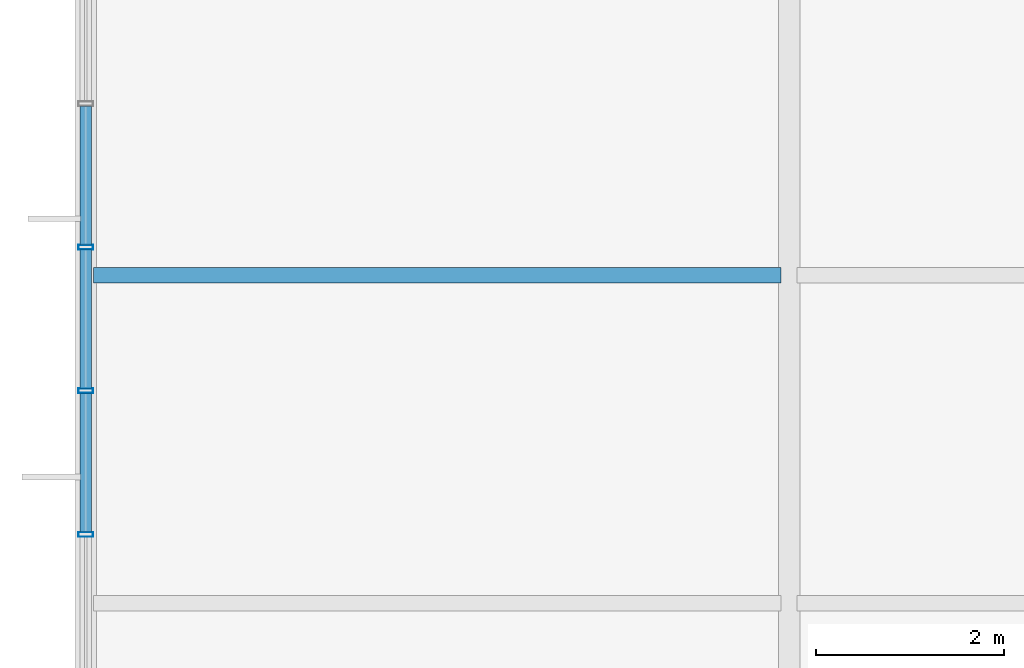
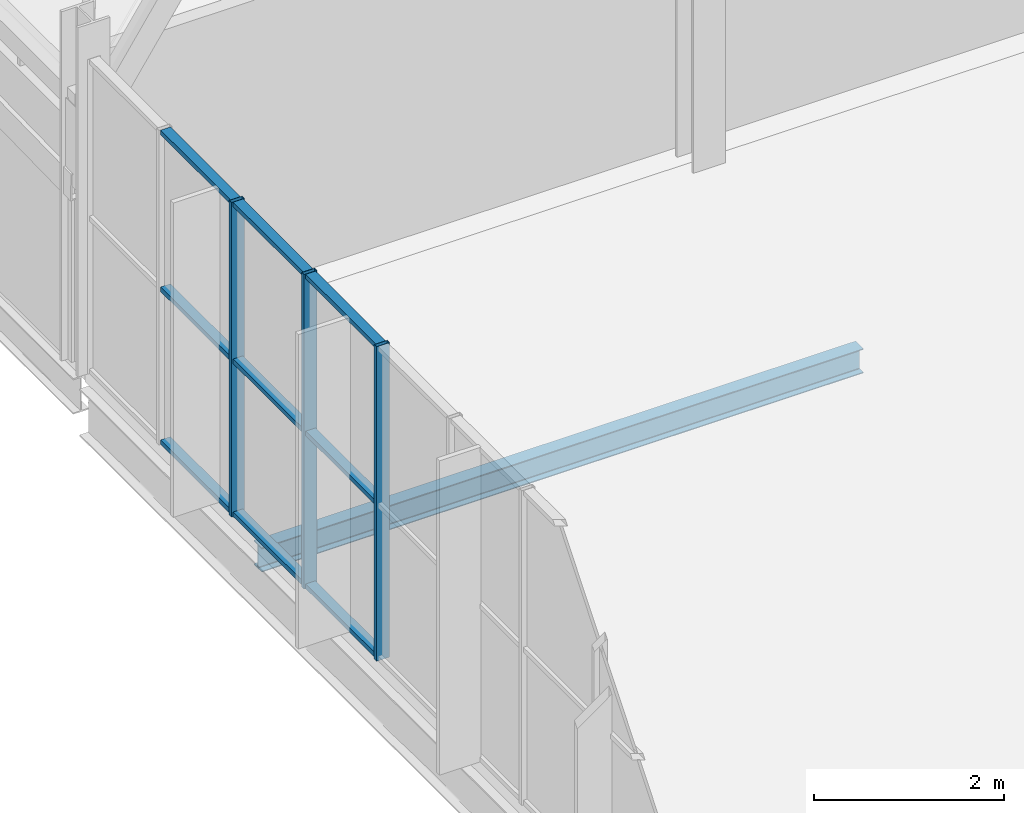
# One storey, part 44 of 324: 12 members, 1 beam, 1 element without a shape of its own.
"""IFC4 building model written with IfcOpenShell, lengths in metres."""

from ifc_helpers import new_model, si_unit, direction, frame, origin, origin_2d, place, context, subcontext, project, spatial, hollow_rectangle, i_section, extrude, material, layer, layer_set, material_profile, profile_set, type_object, element, aggregate, save


model = new_model("IFC4")

# Units and contexts
model_context = context("Model", 3, precision=1e-05, world=origin(), true_north=direction((0.0, 1.0)))
body_context = subcontext(model_context, "Body", "Model", "MODEL_VIEW")
ifc_project = project(units=[si_unit("LENGTHUNIT", "METRE"), si_unit("AREAUNIT", "SQUARE_METRE"), si_unit("VOLUMEUNIT", "CUBIC_METRE"), si_unit("PLANEANGLEUNIT", "RADIAN"), si_unit("MASSUNIT", "GRAM", prefix="KILO")], contexts=[model_context])

# Site, building, storey
site_placement = place(None, origin())
site = spatial("IfcSite", under=ifc_project, at=site_placement, CompositionType="ELEMENT")
building_placement = place(site_placement, origin())
building = spatial("IfcBuilding", under=site, at=building_placement, Name="Solvenia Promenade Tram Depot", CompositionType="ELEMENT")
storey_placement = place(building_placement, frame((0.0, 0.0, 4.5)))
storey = spatial("IfcBuildingStorey", under=building, at=storey_placement, Name="L01", CompositionType="ELEMENT", Elevation=4.5)

# Curtain wall, members
ifc_material_1 = material(Name="Anodized aluminium AW-6063 T6", Category="aluminium")
ifc_layer = layer(ifc_material_1, 0.1201171875, Name="Anodized aluminium AW-6063 T6", Category="aluminium")
ifc_layer_set = layer_set([ifc_layer], Name="Anodized aluminium AW-6063 T6")
curtain_wall_type = type_object("IfcCurtainWallType", Name="CW-Wash-1500", PredefinedType="NOTDEFINED", material=ifc_layer_set)
curtain_wall_placement = place(storey_placement, origin())
curtain_wall = element("IfcCurtainWall", 1, at=curtain_wall_placement, inside=storey, type_object=curtain_wall_type, Name="Curtain Wall CW-V3-W-L1-3", PredefinedType="NOTDEFINED")
ifc_material_profile_1 = material_profile(ifc_material_1, hollow_rectangle(XDim=0.159912109375, YDim=0.052001953125, WallThickness=0.00390625, at=origin_2d()), Name="ALU-M1", Category="aluminium")
ifc_profile_set_1 = profile_set([ifc_material_profile_1], Name="Anodized aluminium AW-6063 T6")
member_type_1 = type_object("IfcMemberType", Name="CWM-Mullion-1", PredefinedType="MULLION", material=ifc_profile_set_1)
member_1_placement = place(storey_placement, frame((0.0, 59.735595703125, 0.0), z_axis=(0.0, 0.0, 1.0), x_axis=(-1.0, 0.0, 0.0)))
member_1 = element("IfcMember", 2, at=member_1_placement, type_object=member_type_1, Name="CW-10 mullion 6", PredefinedType="MULLION", context=body_context, shape_type="SweptSolid", body=[
    extrude(hollow_rectangle(XDim=0.159912109375, YDim=0.052001953125, WallThickness=0.00390625, at=origin_2d()), origin(), (0.0, 0.0, 1.0), 4.050048828125),
])
member_2_placement = place(storey_placement, frame((0.0, 61.2666015625, 0.0), z_axis=(0.0, 0.0, 1.0), x_axis=(-1.0, 0.0, 0.0)))
member_2 = element("IfcMember", 3, at=member_2_placement, type_object=member_type_1, Name="CW-10 mullion 7", PredefinedType="MULLION", context=body_context, shape_type="SweptSolid", body=[
    extrude(hollow_rectangle(XDim=0.159912109375, YDim=0.052001953125, WallThickness=0.00390625, at=origin_2d()), origin(), (0.0, 0.0, 1.0), 4.050048828125),
])
member_3_placement = place(storey_placement, frame((0.0, 62.7978515625, 0.0), z_axis=(0.0, 0.0, 1.0), x_axis=(-1.0, 0.0, 0.0)))
member_3 = element("IfcMember", 4, at=member_3_placement, type_object=member_type_1, Name="CW-10 mullion 8", PredefinedType="MULLION", context=body_context, shape_type="SweptSolid", body=[
    extrude(hollow_rectangle(XDim=0.159912109375, YDim=0.052001953125, WallThickness=0.00390625, at=origin_2d()), origin(), (0.0, 0.0, 1.0), 4.050048828125),
])
ifc_material_profile_2 = material_profile(ifc_material_1, hollow_rectangle(XDim=0.1201171875, YDim=0.06005859375, WallThickness=0.00390625, at=origin_2d()), Name="ALU-T1", Category="aluminium")
ifc_profile_set_2 = profile_set([ifc_material_profile_2], Name="Anodized aluminium AW-6063 T6")
member_type_2 = type_object("IfcMemberType", Name="CWT-Transom-1", PredefinedType="USERDEFINED", material=ifc_profile_set_2)
member_4_placement = place(storey_placement, frame((0.0, 59.761474609375, 0.030029296875), z_axis=(0.0, 1.0, 0.0), x_axis=(-1.0, 0.0, 0.0)))
member_4 = element("IfcMember", 5, at=member_4_placement, type_object=member_type_2, Name="CW-10 transom 6.1", ObjectType="TRANSOM", PredefinedType="USERDEFINED", context=body_context, shape_type="SweptSolid", body=[
    extrude(hollow_rectangle(XDim=0.1201171875, YDim=0.06005859375, WallThickness=0.00390625, at=origin_2d()), origin(), (0.0, 0.0, 1.0), 1.479248046875),
])
member_5_placement = place(storey_placement, frame((0.0, 59.761474609375, 2.0), z_axis=(0.0, 1.0, 0.0), x_axis=(-1.0, 0.0, 0.0)))
member_5 = element("IfcMember", 6, at=member_5_placement, type_object=member_type_2, Name="CW-10 transom 6.2", ObjectType="TRANSOM", PredefinedType="USERDEFINED", context=body_context, shape_type="SweptSolid", body=[
    extrude(hollow_rectangle(XDim=0.1201171875, YDim=0.06005859375, WallThickness=0.00390625, at=origin_2d()), origin(), (0.0, 0.0, 1.0), 1.479248046875),
])
member_6_placement = place(storey_placement, frame((0.0, 59.761474609375, 4.02001953125), z_axis=(0.0, 1.0, 0.0), x_axis=(-1.0, 0.0, 0.0)))
member_6 = element("IfcMember", 7, at=member_6_placement, type_object=member_type_2, Name="CW-10 transom 6.3", ObjectType="TRANSOM", PredefinedType="USERDEFINED", context=body_context, shape_type="SweptSolid", body=[
    extrude(hollow_rectangle(XDim=0.1201171875, YDim=0.06005859375, WallThickness=0.00390625, at=origin_2d()), origin(), (0.0, 0.0, 1.0), 1.479248046875),
])
member_7_placement = place(storey_placement, frame((0.0, 61.292724609375, 0.030029296875), z_axis=(0.0, 1.0, 0.0), x_axis=(-1.0, 0.0, 0.0)))
member_7 = element("IfcMember", 8, at=member_7_placement, type_object=member_type_2, Name="CW-10 transom 7.1", ObjectType="TRANSOM", PredefinedType="USERDEFINED", context=body_context, shape_type="SweptSolid", body=[
    extrude(hollow_rectangle(XDim=0.1201171875, YDim=0.06005859375, WallThickness=0.00390625, at=origin_2d()), origin(), (0.0, 0.0, 1.0), 1.47900390625),
])
member_8_placement = place(storey_placement, frame((0.0, 61.292724609375, 2.0), z_axis=(0.0, 1.0, 0.0), x_axis=(-1.0, 0.0, 0.0)))
member_8 = element("IfcMember", 9, at=member_8_placement, type_object=member_type_2, Name="CW-10 transom 7.2", ObjectType="TRANSOM", PredefinedType="USERDEFINED", context=body_context, shape_type="SweptSolid", body=[
    extrude(hollow_rectangle(XDim=0.1201171875, YDim=0.06005859375, WallThickness=0.00390625, at=origin_2d()), origin(), (0.0, 0.0, 1.0), 1.47900390625),
])
member_9_placement = place(storey_placement, frame((0.0, 61.292724609375, 4.02001953125), z_axis=(0.0, 1.0, 0.0), x_axis=(-1.0, 0.0, 0.0)))
member_9 = element("IfcMember", 10, at=member_9_placement, type_object=member_type_2, Name="CW-10 transom 7.3", ObjectType="TRANSOM", PredefinedType="USERDEFINED", context=body_context, shape_type="SweptSolid", body=[
    extrude(hollow_rectangle(XDim=0.1201171875, YDim=0.06005859375, WallThickness=0.00390625, at=origin_2d()), origin(), (0.0, 0.0, 1.0), 1.47900390625),
])
member_10_placement = place(storey_placement, frame((0.0, 62.82373046875, 0.030029296875), z_axis=(0.0, 1.0, 0.0), x_axis=(-1.0, 0.0, 0.0)))
member_10 = element("IfcMember", 11, at=member_10_placement, type_object=member_type_2, Name="CW-10 transom 8.1", ObjectType="TRANSOM", PredefinedType="USERDEFINED", context=body_context, shape_type="SweptSolid", body=[
    extrude(hollow_rectangle(XDim=0.1201171875, YDim=0.06005859375, WallThickness=0.00390625, at=origin_2d()), origin(), (0.0, 0.0, 1.0), 1.479248046875),
])
member_11_placement = place(storey_placement, frame((0.0, 62.82373046875, 2.0), z_axis=(0.0, 1.0, 0.0), x_axis=(-1.0, 0.0, 0.0)))
member_11 = element("IfcMember", 12, at=member_11_placement, type_object=member_type_2, Name="CW-10 transom 8.2", ObjectType="TRANSOM", PredefinedType="USERDEFINED", context=body_context, shape_type="SweptSolid", body=[
    extrude(hollow_rectangle(XDim=0.1201171875, YDim=0.06005859375, WallThickness=0.00390625, at=origin_2d()), origin(), (0.0, 0.0, 1.0), 1.479248046875),
])
member_12_placement = place(storey_placement, frame((0.0, 62.82373046875, 4.02001953125), z_axis=(0.0, 1.0, 0.0), x_axis=(-1.0, 0.0, 0.0)))
member_12 = element("IfcMember", 13, at=member_12_placement, type_object=member_type_2, Name="CW-10 transom 8.3", ObjectType="TRANSOM", PredefinedType="USERDEFINED", context=body_context, shape_type="SweptSolid", body=[
    extrude(hollow_rectangle(XDim=0.1201171875, YDim=0.06005859375, WallThickness=0.00390625, at=origin_2d()), origin(), (0.0, 0.0, 1.0), 1.479248046875),
])
aggregate(curtain_wall, [member_1, member_2, member_3, member_4, member_5, member_6, member_7, member_8, member_9, member_10, member_11, member_12])

# Beam
ifc_material_2 = material(Name="Structural steel ASTM A992 Gr. 50", Category="steel")
ifc_material_profile_3 = material_profile(ifc_material_2, i_section(OverallWidth=0.166015625, OverallDepth=0.31298828125, WebThickness=0.006591796875, FlangeThickness=0.01123046875, FilletRadius=0.010009765625, at=origin_2d()), Name="W310x45", Category="steel")
ifc_profile_set_3 = profile_set([ifc_material_profile_3], Name="Structural steel ASTM A992 Gr. 50")
beam_type = type_object("IfcBeamType", Name="Joist-W310x45", PredefinedType="JOIST", material=ifc_profile_set_3)
beam_placement = place(storey_placement, frame((0.0849609375, 62.5, -0.396484375), z_axis=(1.0, 0.0, 0.0), x_axis=(0.0, 1.0, 0.0)))
element("IfcBeam", 14, at=beam_placement, inside=storey, type_object=beam_type, Name="Secondary Floor Joist BM-L01-0258", PredefinedType="JOIST", context=body_context, shape_type="SweptSolid", body=[
    extrude(i_section(OverallWidth=0.166015625, OverallDepth=0.31298828125, WebThickness=0.006591796875, FlangeThickness=0.01123046875, FilletRadius=0.010009765625, at=origin_2d()), origin(), (0.0, 0.0, 1.0), 7.330078125),
])

save(model, "model.ifc")
